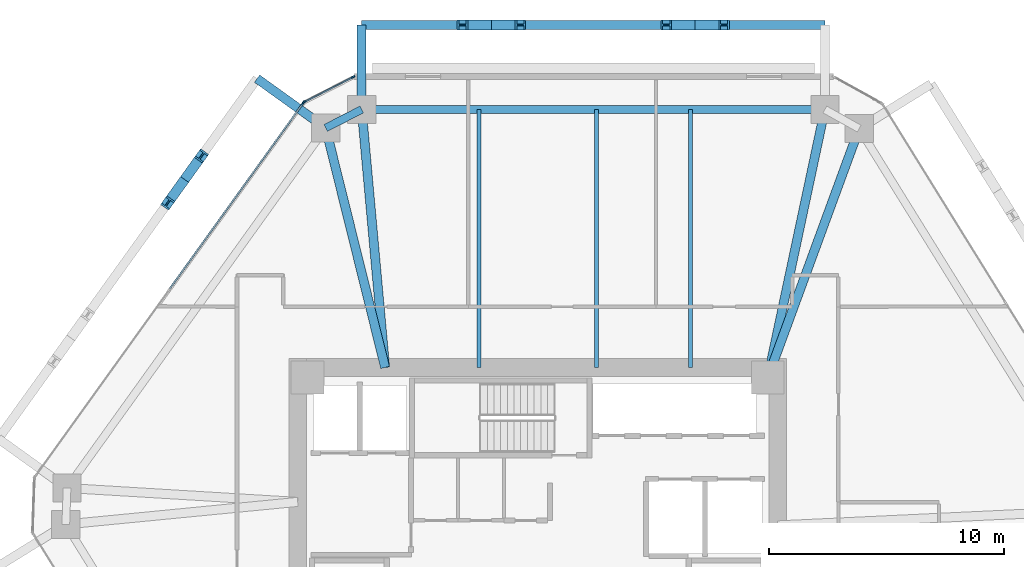
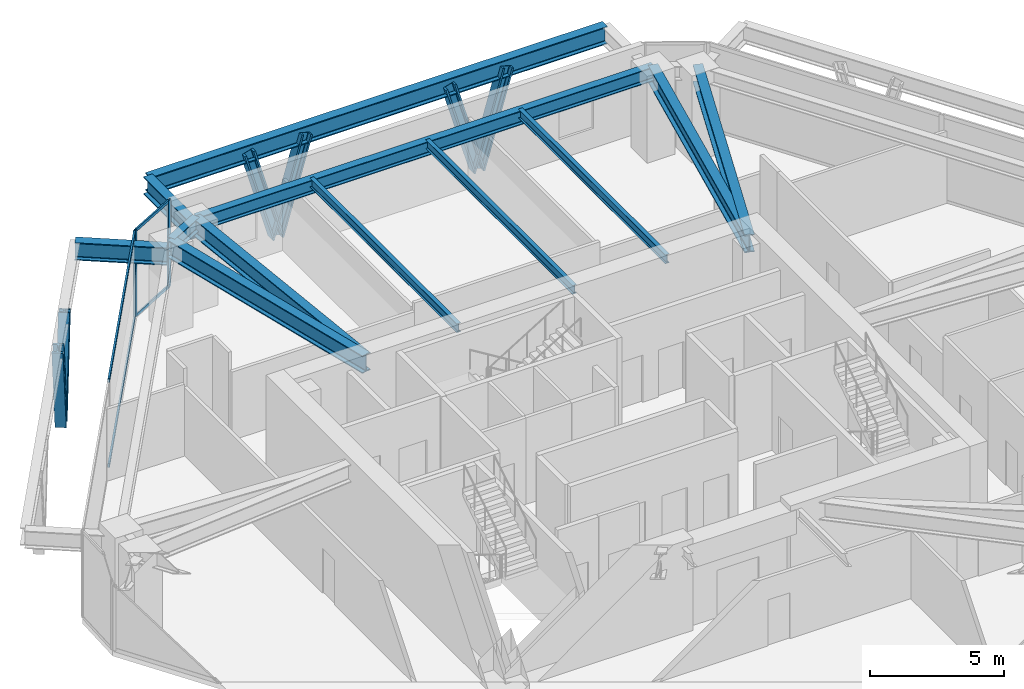
# One storey, part 7 of 14: 13 members, 12 beams, 2 elements without a shape of their own.
"""IFC4 building model written with IfcOpenShell, lengths in metres."""

from ifc_helpers import new_model, si_unit, direction, frame, origin, origin_2d, place, context, subcontext, project, spatial, rectangle, i_section, extrude, source, transform, mapped, material, layer, layer_set, material_profile, profile_set, type_object, type_shapes, element, aggregate, save


model = new_model("IFC4")

# Units and contexts
model_context = context("Model", 3, precision=1e-05, world=origin(), true_north=direction((0.0, 1.0)))
body_context = subcontext(model_context, "Body", "Model", "MODEL_VIEW")
ifc_project = project(units=[si_unit("LENGTHUNIT", "METRE"), si_unit("AREAUNIT", "SQUARE_METRE"), si_unit("VOLUMEUNIT", "CUBIC_METRE"), si_unit("PLANEANGLEUNIT", "RADIAN"), si_unit("MASSUNIT", "GRAM", prefix="KILO")], contexts=[model_context])

# Site, building, storey
site_placement = place(None, origin())
site = spatial("IfcSite", under=ifc_project, at=site_placement, CompositionType="ELEMENT")
building_placement = place(site_placement, origin())
building = spatial("IfcBuilding", under=site, at=building_placement, Name="Durnholm Broadcast Tower", CompositionType="ELEMENT")
storey_placement = place(building_placement, frame((0.0, 0.0, 93.300048828125)))
storey = spatial("IfcBuildingStorey", under=building, at=storey_placement, Name="L24", CompositionType="ELEMENT", Elevation=93.300048828125)

# Beams
ifc_material_1 = material(Name="Steel ASTM A992 Grade 50", Category="steel")
ifc_material_profile_1 = material_profile(ifc_material_1, i_section(OverallWidth=0.385009765625, OverallDepth=0.802978515625, WebThickness=0.023681640625, FlangeThickness=0.0419921875, FilletRadius=0.032958984375, at=origin_2d()), Name="W30X261")
ifc_profile_set_1 = profile_set([ifc_material_profile_1], Name="Steel ASTM A992 Grade 50")
beam_type_1 = type_object("IfcBeamType", Name="BM-EXO-TIE", PredefinedType="USERDEFINED", material=ifc_profile_set_1)
shared_shape_1 = source(origin(), body_context, "Body", "SweptSolid", [
    extrude(i_section(OverallWidth=0.385009765625, OverallDepth=0.802978515625, WebThickness=0.023681640625, FlangeThickness=0.0419921875, FilletRadius=0.032958984375, at=origin_2d()), origin(), (0.0, 0.0, 1.0), 3.4560546875),
])
beam_1_placement = place(storey_placement, frame((-7.498046875, 19.35888671875, 3.20849609375), z_axis=(0.0, 1.0, 0.0), x_axis=(-1.0, 0.0, 0.0)))
element("IfcBeam", 1, at=beam_1_placement, inside=storey, type_object=beam_type_1, Name="L24 exoskeleton stand-off tie bracket F4.2", ObjectType="GIRDER", PredefinedType="USERDEFINED", context=body_context, shape_type="MappedRepresentation", body=[
    mapped(shared_shape_1, transform((0.0, 0.0, 0.0), x_axis=(1.0, 0.0, 0.0), y_axis=(0.0, 1.0, 0.0), z_axis=(0.0, 0.0, 1.0), scale=1.0)),
])
ifc_material_profile_2 = material_profile(ifc_material_1, i_section(OverallWidth=0.3291015625, OverallDepth=0.635009765625, WebThickness=0.017822265625, FlangeThickness=0.031005859375, FilletRadius=0.02783203125, at=origin_2d()), Name="W24X162")
ifc_profile_set_2 = profile_set([ifc_material_profile_2], Name="Steel ASTM A992 Grade 50")
beam_type_2 = type_object("IfcBeamType", Name="STL-SP-W24X162", PredefinedType="SPANDREL", material=ifc_profile_set_2)
shared_shape_2 = source(origin(), body_context, "Body", "SweptSolid", [
    extrude(i_section(OverallWidth=0.3291015625, OverallDepth=0.635009765625, WebThickness=0.017822265625, FlangeThickness=0.031005859375, FilletRadius=0.02783203125, at=origin_2d()), origin(), (0.0, 0.0, 1.0), 1.723876953125),
])
beam_2_placement = place(storey_placement, frame((-9.031982421875, 18.42822265625, 3.62744140625), z_axis=(0.889762904339, 0.456423020959, 0.0), x_axis=(-0.456423020959, 0.889762904339, 0.0)))
element("IfcBeam", 2, at=beam_2_placement, inside=storey, type_object=beam_type_2, Name="L24 perimeter spandrel girder 04", PredefinedType="SPANDREL", context=body_context, shape_type="MappedRepresentation", body=[
    mapped(shared_shape_2, transform((0.0, 0.0, 0.0), x_axis=(1.0, 0.0, 0.0), y_axis=(0.0, 1.0, 0.0), z_axis=(0.0, 0.0, 1.0), scale=1.0)),
])
shared_shape_3 = source(origin(), body_context, "Body", "SweptSolid", [
    extrude(i_section(OverallWidth=0.3291015625, OverallDepth=0.635009765625, WebThickness=0.017822265625, FlangeThickness=0.031005859375, FilletRadius=0.02783203125, at=origin_2d()), origin(), (0.0, 0.0, 1.0), 19.72802734375),
])
type_shapes(beam_type_2, [shared_shape_2, shared_shape_3])
beam_3_placement = place(storey_placement, frame((-7.498046875, 19.215087890625, 3.62744140625), z_axis=(1.0, 0.0, 0.0), x_axis=(0.0, 1.0, 0.0)))
element("IfcBeam", 3, at=beam_3_placement, inside=storey, type_object=beam_type_2, Name="L24 perimeter spandrel girder 05", PredefinedType="SPANDREL", context=body_context, shape_type="MappedRepresentation", body=[
    mapped(shared_shape_3, transform((0.0, 0.0, 0.0), x_axis=(1.0, 0.0, 0.0), y_axis=(0.0, 1.0, 0.0), z_axis=(0.0, 0.0, 1.0), scale=1.0)),
])
ifc_material_profile_3 = material_profile(ifc_material_1, i_section(OverallWidth=0.385009765625, OverallDepth=0.802978515625, WebThickness=0.023681640625, FlangeThickness=0.0419921875, FilletRadius=0.032958984375, at=origin_2d()), Name="W30X261")
ifc_profile_set_3 = profile_set([ifc_material_profile_3], Name="Steel ASTM A992 Grade 50")
beam_type_3 = type_object("IfcBeamType", Name="STL-GR-W30X261", PredefinedType="USERDEFINED", material=ifc_profile_set_3)
shared_shape_4 = source(origin(), body_context, "Body", "SweptSolid", [
    extrude(i_section(OverallWidth=0.385009765625, OverallDepth=0.802978515625, WebThickness=0.023681640625, FlangeThickness=0.0419921875, FilletRadius=0.032958984375, at=origin_2d()), origin(), (0.0, 0.0, 1.0), 10.5126953125),
])
beam_4_placement = place(storey_placement, frame((-6.5, 8.22509765625, 3.54345703125), z_axis=(-0.240852230194, 0.970561797729, 0.0), x_axis=(-0.970561797729, -0.240852230194, 0.0)))
element("IfcBeam", 4, at=beam_4_placement, inside=storey, type_object=beam_type_3, Name="L24 radial primary floor girder 04", ObjectType="GIRDER", PredefinedType="USERDEFINED", context=body_context, shape_type="MappedRepresentation", body=[
    mapped(shared_shape_4, transform((0.0, 0.0, 0.0), x_axis=(1.0, 0.0, 0.0), y_axis=(0.0, 1.0, 0.0), z_axis=(0.0, 0.0, 1.0), scale=1.0)),
])
shared_shape_5 = source(origin(), body_context, "Body", "SweptSolid", [
    extrude(i_section(OverallWidth=0.385009765625, OverallDepth=0.802978515625, WebThickness=0.023681640625, FlangeThickness=0.0419921875, FilletRadius=0.032958984375, at=origin_2d()), origin(), (0.0, 0.0, 1.0), 11.03515625),
])
beam_5_placement = place(storey_placement, frame((-6.5, 8.22509765625, 3.54345703125), z_axis=(-0.090441991612, 0.995901725148, 0.0), x_axis=(-0.995901725148, -0.090441991612, 0.0)))
element("IfcBeam", 5, at=beam_5_placement, inside=storey, type_object=beam_type_3, Name="L24 radial primary floor girder 05", ObjectType="GIRDER", PredefinedType="USERDEFINED", context=body_context, shape_type="MappedRepresentation", body=[
    mapped(shared_shape_5, transform((0.0, 0.0, 0.0), x_axis=(1.0, 0.0, 0.0), y_axis=(0.0, 1.0, 0.0), z_axis=(0.0, 0.0, 1.0), scale=1.0)),
])
shared_shape_6 = source(origin(), body_context, "Body", "SweptSolid", [
    extrude(i_section(OverallWidth=0.385009765625, OverallDepth=0.802978515625, WebThickness=0.023681640625, FlangeThickness=0.0419921875, FilletRadius=0.032958984375, at=origin_2d()), origin(), (0.0, 0.0, 1.0), 11.6708984375),
])
beam_6_placement = place(storey_placement, frame((9.800048828125, 7.800048828125, 3.54345703125), z_axis=(0.208206004915, 0.97808499606, 0.0), x_axis=(-0.97808499606, 0.208206004915, 0.0)))
element("IfcBeam", 6, at=beam_6_placement, inside=storey, type_object=beam_type_3, Name="L24 radial primary floor girder 06", ObjectType="GIRDER", PredefinedType="USERDEFINED", context=body_context, shape_type="MappedRepresentation", body=[
    mapped(shared_shape_6, transform((0.0, 0.0, 0.0), x_axis=(1.0, 0.0, 0.0), y_axis=(0.0, 1.0, 0.0), z_axis=(0.0, 0.0, 1.0), scale=1.0)),
])
shared_shape_7 = source(origin(), body_context, "Body", "SweptSolid", [
    extrude(i_section(OverallWidth=0.385009765625, OverallDepth=0.802978515625, WebThickness=0.023681640625, FlangeThickness=0.0419921875, FilletRadius=0.032958984375, at=origin_2d()), origin(), (0.0, 0.0, 1.0), 11.293212890625),
])
type_shapes(beam_type_3, [shared_shape_4, shared_shape_5, shared_shape_6, shared_shape_7])
beam_7_placement = place(storey_placement, frame((9.800048828125, 7.800048828125, 3.54345703125), z_axis=(0.344640193759, 0.938734859716, 0.0), x_axis=(-0.938734859716, 0.344640193759, 0.0)))
element("IfcBeam", 7, at=beam_7_placement, inside=storey, type_object=beam_type_3, Name="L24 radial primary floor girder 07", ObjectType="GIRDER", PredefinedType="USERDEFINED", context=body_context, shape_type="MappedRepresentation", body=[
    mapped(shared_shape_7, transform((0.0, 0.0, 0.0), x_axis=(1.0, 0.0, 0.0), y_axis=(0.0, 1.0, 0.0), z_axis=(0.0, 0.0, 1.0), scale=1.0)),
])
ifc_material_profile_4 = material_profile(ifc_material_1, i_section(OverallWidth=0.177734375, OverallDepth=0.40673828125, WebThickness=0.0078125, FlangeThickness=0.0126953125, FilletRadius=0.01904296875, at=origin_2d()), Name="W16X40")
ifc_profile_set_4 = profile_set([ifc_material_profile_4], Name="Steel ASTM A992 Grade 50")
beam_type_4 = type_object("IfcBeamType", Name="STL-BJ-W16X40", PredefinedType="JOIST", material=ifc_profile_set_4)
shared_shape_8 = source(origin(), body_context, "Body", "SweptSolid", [
    extrude(i_section(OverallWidth=0.177734375, OverallDepth=0.40673828125, WebThickness=0.0078125, FlangeThickness=0.0126953125, FilletRadius=0.01904296875, at=origin_2d()), origin(), (0.0, 0.0, 1.0), 10.989990234375),
])
type_shapes(beam_type_4, [shared_shape_8])
for number, where, z_axis, x_axis, name in (
    (8, (-2.5, 8.22509765625, 3.74169921875), (0.0, 1.0, 0.0), (-1.0, 0.0, 0.0), "L24 secondary floor joist 5.2"),
    (9, (2.5, 8.22509765625, 3.74169921875), (0.0, 1.0, 0.0), (-1.0, 0.0, 0.0), "L24 secondary floor joist 6.2"),
    (10, (6.5, 8.22509765625, 3.74169921875), (0.0, 1.0, 0.0), (-1.0, 0.0, 0.0), "L24 secondary floor joist 7.2"),
):
    element("IfcBeam", number, at=place(storey_placement, frame(where, z_axis=z_axis, x_axis=x_axis)), inside=storey, type_object=beam_type_4, Name=name, PredefinedType="JOIST", context=body_context, shape_type="MappedRepresentation", body=[
        mapped(shared_shape_8, transform((0.0, 0.0, 0.0), x_axis=(1.0, 0.0, 0.0), y_axis=(0.0, 1.0, 0.0), z_axis=(0.0, 0.0, 1.0), scale=1.0)),
    ])
shared_shape_9 = source(origin(), body_context, "Body", "SweptSolid", [
    extrude(i_section(OverallWidth=0.385009765625, OverallDepth=0.802978515625, WebThickness=0.023681640625, FlangeThickness=0.0419921875, FilletRadius=0.032958984375, at=origin_2d()), origin(), (0.0, 0.0, 1.0), 19.72802734375),
])
beam_8_placement = place(storey_placement, frame((12.22998046875, 22.81494140625, 3.20849609375), z_axis=(-1.0, 0.0, 0.0), x_axis=(0.0, -1.0, 0.0)))
element("IfcBeam", 11, at=beam_8_placement, inside=storey, type_object=beam_type_1, Name="L24 exoskeleton collector spandrel F4", PredefinedType="SPANDREL", context=body_context, shape_type="MappedRepresentation", body=[
    mapped(shared_shape_9, transform((0.0, 0.0, 0.0), x_axis=(1.0, 0.0, 0.0), y_axis=(0.0, 1.0, 0.0), z_axis=(0.0, 0.0, 1.0), scale=1.0)),
])
shared_shape_10 = source(origin(), body_context, "Body", "SweptSolid", [
    extrude(i_section(OverallWidth=0.385009765625, OverallDepth=0.802978515625, WebThickness=0.023681640625, FlangeThickness=0.0419921875, FilletRadius=0.032958984375, at=origin_2d()), origin(), (0.0, 0.0, 1.0), 3.456298828125),
])
type_shapes(beam_type_1, [shared_shape_1, shared_shape_9, shared_shape_10])
beam_9_placement = place(storey_placement, frame((-9.14892578125, 18.51220703125, 3.20849609375), z_axis=(-0.812131479052, 0.583474473077, 0.0), x_axis=(-0.583474473077, -0.812131479052, 0.0)))
element("IfcBeam", 12, at=beam_9_placement, inside=storey, type_object=beam_type_1, Name="L24 exoskeleton stand-off tie bracket F5.1", ObjectType="GIRDER", PredefinedType="USERDEFINED", context=body_context, shape_type="MappedRepresentation", body=[
    mapped(shared_shape_10, transform((0.0, 0.0, 0.0), x_axis=(1.0, 0.0, 0.0), y_axis=(0.0, 1.0, 0.0), z_axis=(0.0, 0.0, 1.0), scale=1.0)),
])

# Members
ifc_material_2 = material(Name="Steel ASTM A913 Grade 65", Category="steel")
ifc_material_profile_5 = material_profile(ifc_material_2, i_section(OverallWidth=0.424072265625, OverallDepth=0.47412109375, WebThickness=0.047607421875, FlangeThickness=0.0771484375, FilletRadius=0.030517578125, at=origin_2d()), Name="W14X426")
ifc_profile_set_5 = profile_set([ifc_material_profile_5], Name="Steel ASTM A913 Grade 65")
member_type_1 = type_object("IfcMemberType", Name="STL-DG-W14X426", PredefinedType="BRACE", material=ifc_profile_set_5)
shared_shape_11 = source(origin(), body_context, "Body", "SweptSolid", [
    extrude(i_section(OverallWidth=0.424072265625, OverallDepth=0.47412109375, WebThickness=0.047607421875, FlangeThickness=0.0771484375, FilletRadius=0.030517578125, at=origin_2d()), origin(), (0.0, 0.0, 1.0), 4.43505859375),
])
type_shapes(member_type_1, [shared_shape_11])
for number, where, z_axis, x_axis, name in (
    (13, (6.7060546875, 22.81494140625, -1.051513671875), (0.278209110263, 0.0, 0.960520531257), (0.0, 1.0, 0.0), "L24 stand-off diagrid brace F4.D1.1"),
    (14, (6.7060546875, 22.81494140625, -1.051513671875), (-0.278158322464, 0.0, 0.960535240189), (0.0, -1.0, 0.0), "L24 stand-off diagrid brace F4.D1.2"),
    (15, (-1.974365234375, 22.81494140625, -1.051513671875), (0.278209110263, 0.0, 0.960520531257), (0.0, 1.0, 0.0), "L24 stand-off diagrid brace F4.D2.1"),
    (16, (-1.974365234375, 22.81494140625, -1.051513671875), (-0.278158322464, 0.0, 0.960535240189), (0.0, -1.0, 0.0), "L24 stand-off diagrid brace F4.D2.2"),
    (17, (-15.040771484375, 16.234375, -1.051513671875), (0.162281783347, 0.225917380887, 0.960534205433), (-0.812179469647, 0.583407669717, 0.0), "L24 stand-off diagrid brace F5.D1.1"),
    (18, (-15.040771484375, 16.234375, -1.051513671875), (-0.162335381011, -0.225915362383, 0.96052562335), (0.812085698931, -0.583538188632, 0.0), "L24 stand-off diagrid brace F5.D1.2"),
):
    element("IfcMember", number, at=place(storey_placement, frame(where, z_axis=z_axis, x_axis=x_axis)), inside=storey, type_object=member_type_1, Name=name, PredefinedType="BRACE", context=body_context, shape_type="MappedRepresentation", body=[
        mapped(shared_shape_11, transform((0.0, 0.0, 0.0), x_axis=(1.0, 0.0, 0.0), y_axis=(0.0, 1.0, 0.0), z_axis=(0.0, 0.0, 1.0), scale=1.0)),
    ])

# Curtain wall, members
ifc_material_3 = material(Name="Aluminium and Solar Control IGU", Category="aluminium")
ifc_layer_1 = layer(ifc_material_3, 0.1650390625)
ifc_layer_set_1 = layer_set([ifc_layer_1], Name="Aluminium and Solar Control IGU")
curtain_wall_type_1 = type_object("IfcCurtainWallType", Name="CW-SYS-5", PredefinedType="NOTDEFINED", material=ifc_layer_set_1)
curtain_wall_1_placement = place(storey_placement, origin())
curtain_wall_1 = element("IfcCurtainWall", 19, at=curtain_wall_1_placement, inside=storey, type_object=curtain_wall_type_1, Name="L24 curtain wall CW-CORNER CW-L24-CRN-03", PredefinedType="NOTDEFINED")
ifc_material_4 = material(Name="Aluminium 6063-T6", Category="aluminium")
ifc_material_profile_6 = material_profile(ifc_material_4, rectangle(XDim=0.06494140625, YDim=0.1650390625, at=origin_2d()), Name="CWM65X165")
ifc_profile_set_6 = profile_set([ifc_material_profile_6], Name="Aluminium 6063-T6")
member_type_2 = type_object("IfcMemberType", Name="CW-SYS-5-MUL", PredefinedType="MULLION", material=ifc_profile_set_6)
shared_shape_12 = source(origin(), body_context, "Body", "SweptSolid", [
    extrude(rectangle(XDim=0.06494140625, YDim=0.1650390625, at=origin_2d()), origin(), (0.0, 0.0, 1.0), 3.9599609375),
])
type_shapes(member_type_2, [shared_shape_12])
member_1_placement = place(storey_placement, frame((-9.94287109375, 19.534423828125, 0.0), z_axis=(0.0, 0.0, 1.0), x_axis=(-0.45637332267, 0.889788396392, 0.0)))
member_1 = element("IfcMember", 20, at=member_1_placement, type_object=member_type_2, Name="CW-CORNER mullion 1", PredefinedType="MULLION", context=body_context, shape_type="MappedRepresentation", body=[
    mapped(shared_shape_12, transform((0.0, 0.0, 0.0), x_axis=(1.0, 0.0, 0.0), y_axis=(0.0, 1.0, 0.0), z_axis=(0.0, 0.0, 1.0), scale=1.0)),
])
member_2_placement = place(storey_placement, frame((-7.865234375, 20.60009765625, 0.0), z_axis=(0.0, 0.0, 1.0), x_axis=(-0.45637332267, 0.889788396392, 0.0)))
member_2 = element("IfcMember", 21, at=member_2_placement, type_object=member_type_2, Name="CW-CORNER mullion 2", PredefinedType="MULLION", context=body_context, shape_type="MappedRepresentation", body=[
    mapped(shared_shape_12, transform((0.0, 0.0, 0.0), x_axis=(1.0, 0.0, 0.0), y_axis=(0.0, 1.0, 0.0), z_axis=(0.0, 0.0, 1.0), scale=1.0)),
])
ifc_material_profile_7 = material_profile(ifc_material_4, rectangle(XDim=0.06494140625, YDim=0.1298828125, at=origin_2d()), Name="CWT65X130")
ifc_profile_set_7 = profile_set([ifc_material_profile_7], Name="Aluminium 6063-T6")
member_type_3 = type_object("IfcMemberType", Name="CW-SYS-5-TRN", PredefinedType="USERDEFINED", material=ifc_profile_set_7)
shared_shape_13 = source(origin(), body_context, "Body", "SweptSolid", [
    extrude(rectangle(XDim=0.06494140625, YDim=0.1298828125, at=origin_2d()), origin(), (0.0, 0.0, 1.0), 2.27001953125),
])
type_shapes(member_type_3, [shared_shape_13])
member_3_placement = place(storey_placement, frame((-9.913818359375, 19.54931640625, 0.032470703125), z_axis=(0.889754750021, 0.456438916849, 0.0), x_axis=(-0.456438916849, 0.889754750021, 0.0)))
member_3 = element("IfcMember", 22, at=member_3_placement, type_object=member_type_3, Name="CW-CORNER transom 1.1", ObjectType="TRANSOM", PredefinedType="USERDEFINED", context=body_context, shape_type="MappedRepresentation", body=[
    mapped(shared_shape_13, transform((0.0, 0.0, 0.0), x_axis=(1.0, 0.0, 0.0), y_axis=(0.0, 1.0, 0.0), z_axis=(0.0, 0.0, 1.0), scale=1.0)),
])
member_4_placement = place(storey_placement, frame((-9.913818359375, 19.54931640625, 3.927490234375), z_axis=(0.889754750021, 0.456438916849, 0.0), x_axis=(-0.456438916849, 0.889754750021, 0.0)))
member_4 = element("IfcMember", 23, at=member_4_placement, type_object=member_type_3, Name="CW-CORNER transom 1.2", ObjectType="TRANSOM", PredefinedType="USERDEFINED", context=body_context, shape_type="MappedRepresentation", body=[
    mapped(shared_shape_13, transform((0.0, 0.0, 0.0), x_axis=(1.0, 0.0, 0.0), y_axis=(0.0, 1.0, 0.0), z_axis=(0.0, 0.0, 1.0), scale=1.0)),
])
aggregate(curtain_wall_1, [member_1, member_2, member_3, member_4])

ifc_layer_2 = layer(ifc_material_3, 0.219970703125)
ifc_layer_set_2 = layer_set([ifc_layer_2], Name="Aluminium and Solar Control IGU")
curtain_wall_type_2 = type_object("IfcCurtainWallType", Name="CW-SYS-6", PredefinedType="NOTDEFINED", material=ifc_layer_set_2)
curtain_wall_2_placement = place(storey_placement, origin())
curtain_wall_2 = element("IfcCurtainWall", 24, at=curtain_wall_2_placement, inside=storey, type_object=curtain_wall_type_2, Name="L24 curtain wall CW-AMENITY CW-L24-F02", PredefinedType="NOTDEFINED")
ifc_material_profile_8 = material_profile(ifc_material_4, rectangle(XDim=0.074951171875, YDim=0.219970703125, at=origin_2d()), Name="CWM75X220")
ifc_profile_set_8 = profile_set([ifc_material_profile_8], Name="Aluminium 6063-T6")
member_type_4 = type_object("IfcMemberType", Name="CW-SYS-6-MUL", PredefinedType="MULLION", material=ifc_profile_set_8)
shared_shape_14 = source(origin(), body_context, "Body", "SweptSolid", [
    extrude(rectangle(XDim=0.074951171875, YDim=0.219970703125, at=origin_2d()), origin(), (0.0, 0.0, 1.0), 3.9599609375),
])
type_shapes(member_type_4, [shared_shape_14])
member_5_placement = place(storey_placement, frame((-9.99365234375, 19.4892578125, 0.0), z_axis=(0.0, 0.0, 1.0), x_axis=(-0.812152312759, 0.583445473786, 0.0)))
member_5 = element("IfcMember", 25, at=member_5_placement, type_object=member_type_4, Name="CW-AMENITY mullion 3", PredefinedType="MULLION", context=body_context, shape_type="MappedRepresentation", body=[
    mapped(shared_shape_14, transform((0.0, 0.0, 0.0), x_axis=(1.0, 0.0, 0.0), y_axis=(0.0, 1.0, 0.0), z_axis=(0.0, 0.0, 1.0), scale=1.0)),
])
ifc_material_profile_9 = material_profile(ifc_material_4, rectangle(XDim=0.074951171875, YDim=0.179931640625, at=origin_2d()), Name="CWT75X180")
ifc_profile_set_9 = profile_set([ifc_material_profile_9], Name="Aluminium 6063-T6")
member_type_5 = type_object("IfcMemberType", Name="CW-SYS-6-TRN", PredefinedType="USERDEFINED", material=ifc_profile_set_9)
shared_shape_15 = source(origin(), body_context, "Body", "SweptSolid", [
    extrude(rectangle(XDim=0.074951171875, YDim=0.179931640625, at=origin_2d()), origin(), (0.0, 0.0, 1.0), 9.711181640625),
])
type_shapes(member_type_5, [shared_shape_15])
member_6_placement = place(storey_placement, frame((-15.681396484375, 11.57177734375, 0.037353515625), z_axis=(0.583450064535, 0.812149014771, 0.0), x_axis=(-0.812149014771, 0.583450064535, 0.0)))
member_6 = element("IfcMember", 26, at=member_6_placement, type_object=member_type_5, Name="CW-AMENITY transom 2.1", ObjectType="TRANSOM", PredefinedType="USERDEFINED", context=body_context, shape_type="MappedRepresentation", body=[
    mapped(shared_shape_15, transform((0.0, 0.0, 0.0), x_axis=(1.0, 0.0, 0.0), y_axis=(0.0, 1.0, 0.0), z_axis=(0.0, 0.0, 1.0), scale=1.0)),
])
member_7_placement = place(storey_placement, frame((-15.681396484375, 11.57177734375, 3.92236328125), z_axis=(0.583450064535, 0.812149014771, 0.0), x_axis=(-0.812149014771, 0.583450064535, 0.0)))
member_7 = element("IfcMember", 27, at=member_7_placement, type_object=member_type_5, Name="CW-AMENITY transom 2.2", ObjectType="TRANSOM", PredefinedType="USERDEFINED", context=body_context, shape_type="MappedRepresentation", body=[
    mapped(shared_shape_15, transform((0.0, 0.0, 0.0), x_axis=(1.0, 0.0, 0.0), y_axis=(0.0, 1.0, 0.0), z_axis=(0.0, 0.0, 1.0), scale=1.0)),
])
aggregate(curtain_wall_2, [member_5, member_6, member_7])

save(model, "model.ifc")
